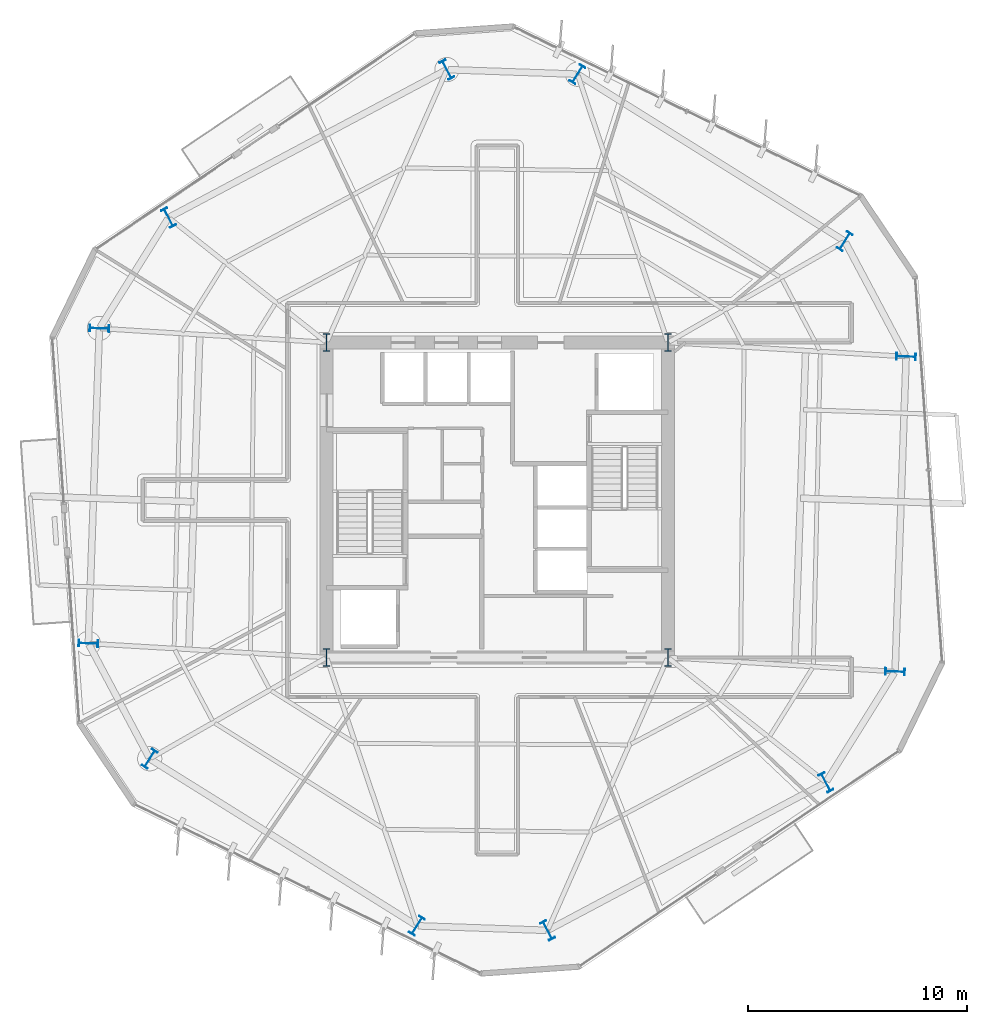
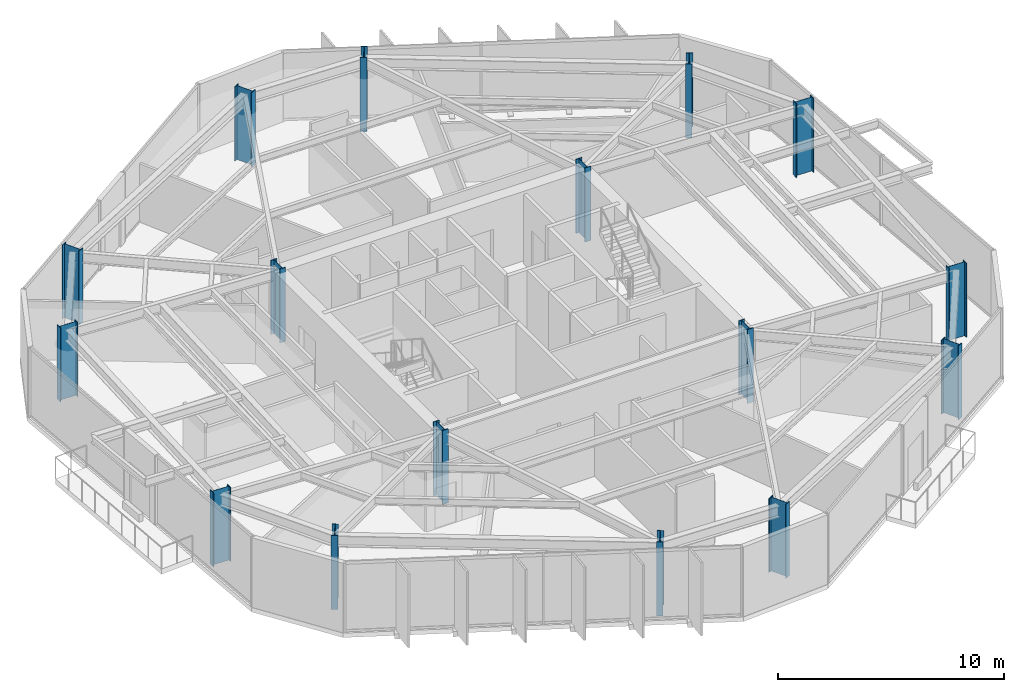
# One storey, part 1 of 14: 16 columns.
"""IFC4 building model written with IfcOpenShell, lengths in metres."""

import ifcopenshell
import ifcopenshell.guid

model = None  # the IFC model being written
_history = None  # IfcOwnerHistory: only IFC2X3 demands one
_inside = {}  # id of a spatial element -> (the spatial element, [elements in it])
_under = {}  # id of a project, library or spatial element -> (it, [spatial elements below it])
_declared = {}  # id of a project -> (the project, [libraries it declares])
_typed = {}  # id of a type object -> (the type object, [elements of that type])
_made_of = {}  # id of a material, layer set ... -> (it, [elements and type objects made of it])


def new_model(schema):
    """Start an empty IFC model of exactly this schema.

    Asked for "IFC4X3", IfcOpenShell would pick the latest addendum, in which some entities
    have other attributes; the version numbers below select the first issue.
    IFC2X3 requires an IfcOwnerHistory on every rooted entity: one is made here for all.
    """
    global model, _history
    if schema == "IFC4X3":
        model = ifcopenshell.file(schema_version=(4, 3, 0, 0))
    else:
        model = ifcopenshell.file(schema=schema)
    _inside.clear()
    _under.clear()
    _declared.clear()
    _typed.clear()
    _made_of.clear()
    _history = None
    if model.schema == "IFC2X3":
        org = make("IfcOrganization", Name="unknown")
        user = make(
            "IfcPersonAndOrganization",
            ThePerson=make("IfcPerson", FamilyName="unknown"),
            TheOrganization=org,
        )
        app = make(
            "IfcApplication",
            ApplicationDeveloper=org,
            Version="unknown",
            ApplicationFullName="unknown",
            ApplicationIdentifier="unknown",
        )
        _history = make(
            "IfcOwnerHistory",
            OwningUser=user,
            OwningApplication=app,
            ChangeAction="ADDED",
            CreationDate=0,
        )
    return model


def make(cls, **values):
    """One entity of the class cls with the attributes given. An attribute that is None is left unset."""
    return model.create_entity(
        cls, **{name: value for name, value in values.items() if value is not None}
    )


def rooted(cls, **values):
    """An entity with a GlobalId (a new one), such as an element, a storey or a relation."""
    return make(cls, GlobalId=ifcopenshell.guid.new(), OwnerHistory=_history, **values)


def si_unit(unit_type, name, prefix=None):
    """IfcSIUnit, for example si_unit("LENGTHUNIT", "METRE", prefix="MILLI")."""
    return make("IfcSIUnit", UnitType=unit_type, Prefix=prefix, Name=name)


def assignment(units):
    """IfcUnitAssignment: the units of a project."""
    return None if units is None else make("IfcUnitAssignment", Units=units)


def point(xyz):
    """IfcCartesianPoint."""
    return None if xyz is None else make("IfcCartesianPoint", Coordinates=xyz)


def direction(xyz):
    """IfcDirection."""
    return None if xyz is None else make("IfcDirection", DirectionRatios=xyz)


def frame(location, z_axis=None, x_axis=None):
    """IfcAxis2Placement3D, a coordinate frame: its origin and axes. An axis left out is left unset."""
    return make(
        "IfcAxis2Placement3D",
        Location=point(location),
        Axis=direction(z_axis),
        RefDirection=direction(x_axis),
    )


def frame_2d(location, x_axis=None):
    """IfcAxis2Placement2D, a coordinate frame in the plane: its origin and x axis."""
    return make(
        "IfcAxis2Placement2D", Location=point(location), RefDirection=direction(x_axis)
    )


def origin():
    """The frame at (0, 0, 0) with its axes left unset."""
    return frame((0.0, 0.0, 0.0))


def origin_2d():
    """The frame at (0, 0) in the plane with its x axis left unset."""
    return frame_2d((0.0, 0.0))


def place(relative_to, where):
    """IfcLocalPlacement: puts the frame where relative to a parent placement (None: the world)."""
    return make(
        "IfcLocalPlacement", PlacementRelTo=relative_to, RelativePlacement=where
    )


def context(
    kind, dimensions, precision=None, world=None, true_north=None, identifier=None
):
    """IfcGeometricRepresentationContext, for example the 3D "Model" context."""
    return make(
        "IfcGeometricRepresentationContext",
        ContextIdentifier=identifier,
        ContextType=kind,
        CoordinateSpaceDimension=dimensions,
        Precision=precision,
        WorldCoordinateSystem=world,
        TrueNorth=true_north,
    )


def subcontext(parent, identifier, kind, view, scale=None):
    """IfcGeometricRepresentationSubContext, for example "Body" below "Model"."""
    return make(
        "IfcGeometricRepresentationSubContext",
        ContextIdentifier=identifier,
        ContextType=kind,
        ParentContext=parent,
        TargetScale=scale,
        TargetView=view,
    )


def project(units=None, contexts=None):
    """IfcProject with its units and contexts."""
    return rooted(
        "IfcProject",
        Name="project",
        RepresentationContexts=contexts,
        UnitsInContext=assignment(units),
    )


def spatial(cls, under=None, at=None, **own):
    """A site, building, storey or space (cls), placed at a placement, below another one or the project."""
    s = rooted(cls, ObjectPlacement=at, **own)
    if under is not None:
        _under.setdefault(under.id(), (under, []))[1].append(s)
    return s


def profile(cls, at=None, kind="AREA", **sizes):
    """A parametric profile (cls). Its sizes go by their IFC names, for example OverallWidth=200.0."""
    return make(cls, ProfileType=kind, Position=at, **sizes)


def i_section(**sizes):
    """IfcIShapeProfileDef."""
    return profile("IfcIShapeProfileDef", **sizes)


def extrude(swept, where, along, depth):
    """IfcExtrudedAreaSolid: the profile swept, set in the frame where, extruded along a direction by depth."""
    return make(
        "IfcExtrudedAreaSolid",
        SweptArea=swept,
        Position=where,
        ExtrudedDirection=direction(along),
        Depth=depth,
    )


def shape(context_of_items, identifier, shape_type, items):
    """IfcShapeRepresentation: the items that make up one representation, for example the "Body"."""
    return make(
        "IfcShapeRepresentation",
        ContextOfItems=context_of_items,
        RepresentationIdentifier=identifier,
        RepresentationType=shape_type,
        Items=items,
    )


def material(Name=None, Category=None):
    """IfcMaterial."""
    return make("IfcMaterial", Name=Name, Category=Category)


def material_profile(
    of_material, cross_section, Name=None, Category=None, Priority=None
):
    """IfcMaterialProfile: a cross section and its material."""
    return make(
        "IfcMaterialProfile",
        Name=Name,
        Material=of_material,
        Profile=cross_section,
        Priority=Priority,
        Category=Category,
    )


def profile_set(profiles, Name=None, composite=None):
    """IfcMaterialProfileSet."""
    return make(
        "IfcMaterialProfileSet",
        Name=Name,
        MaterialProfiles=profiles,
        CompositeProfile=composite,
    )


def made_of(thing, what):
    """Note that an element or type object is made of a material, layer set ...; save() writes the relation."""
    if what is not None:
        _made_of.setdefault(what.id(), (what, []))[1].append(thing)
    return thing


def type_object(cls, material=None, **own):
    """A type object (cls), such as IfcWallType, which elements share."""
    return made_of(rooted(cls, **own), material)


def element(
    cls,
    number,
    at=None,
    inside=None,
    cuts=None,
    type_object=None,
    material=None,
    context=None,
    identifier="Body",
    shape_type=None,
    held_by="IfcProductDefinitionShape",
    body=None,
    shapes=None,
    **own,
):
    """One element of the class cls, such as IfcWall. Its Tag is "e" and its number.

    at: its placement. inside: the storey or other place that contains it. cuts: it is an
    opening in that element (IfcRelVoidsElement). A single representation is given by context,
    identifier, shape_type and body (its items); several are given by shapes. held_by: the class
    of the entity that holds the representations. save() writes the other relations.
    """
    e = rooted(cls, Tag="e%d" % number, ObjectPlacement=at, **own)
    if body is not None:
        shapes = [shape(context, identifier, shape_type, body)]
    if shapes is not None:
        e.Representation = make(held_by, Representations=shapes)
    if inside is not None:
        _inside.setdefault(inside.id(), (inside, []))[1].append(e)
    if cuts is not None:
        rooted(
            "IfcRelVoidsElement", RelatingBuildingElement=cuts, RelatedOpeningElement=e
        )
    if type_object is not None:
        _typed.setdefault(type_object.id(), (type_object, []))[1].append(e)
    return made_of(e, material)


def aggregate(whole, parts):
    """IfcRelAggregates: a whole, such as a stair, and the parts it consists of."""
    return rooted("IfcRelAggregates", RelatingObject=whole, RelatedObjects=parts)


def save(model, path):
    """Write the relations noted so far, then the file.

    IfcRelAggregates (storeys below a building ...), IfcRelContainedInSpatialStructure (elements
    in a storey), IfcRelDefinesByType, IfcRelAssociatesMaterial and IfcRelDeclares: one each for
    every whole, place, type object, material and project.
    """
    for whole, parts in _under.values():
        aggregate(whole, parts)
    for where, things in _inside.values():
        rooted(
            "IfcRelContainedInSpatialStructure",
            RelatedElements=things,
            RelatingStructure=where,
        )
    for kind, things in _typed.values():
        rooted("IfcRelDefinesByType", RelatedObjects=things, RelatingType=kind)
    for what, things in _made_of.values():
        rooted("IfcRelAssociatesMaterial", RelatedObjects=things, RelatingMaterial=what)
    for by, libraries in _declared.values():
        rooted("IfcRelDeclares", RelatingContext=by, RelatedDefinitions=libraries)
    model.write(path)


model = new_model("IFC4")

# Units and contexts
model_context = context("Model", 3, precision=1e-05, world=origin(), true_north=direction((0.0, 1.0)))
body_context = subcontext(model_context, "Body", "Model", "MODEL_VIEW")
ifc_project = project(units=[si_unit("LENGTHUNIT", "METRE"), si_unit("AREAUNIT", "SQUARE_METRE"), si_unit("VOLUMEUNIT", "CUBIC_METRE"), si_unit("PLANEANGLEUNIT", "RADIAN"), si_unit("MASSUNIT", "GRAM", prefix="KILO")], contexts=[model_context])

# Site, building, storey
site_placement = place(None, origin())
site = spatial("IfcSite", under=ifc_project, at=site_placement, CompositionType="ELEMENT")
building_placement = place(site_placement, origin())
building = spatial("IfcBuilding", under=site, at=building_placement, Name="Kranzbogen Civic Tower", CompositionType="ELEMENT")
storey_placement = place(building_placement, frame((0.0, 0.0, 158.39990234375)))
storey = spatial("IfcBuildingStorey", under=building, at=storey_placement, Name="L38", CompositionType="ELEMENT", Elevation=158.39990234375)

# Columns
ifc_material_1 = material(Name="Steel S355", Category="steel")
ifc_material_profile_1 = material_profile(ifc_material_1, i_section(OverallWidth=0.300048828125, OverallDepth=0.89990234375, WebThickness=0.0185546875, FlangeThickness=0.034912109375, at=origin_2d()), Name="HEB 900")
ifc_profile_set_1 = profile_set([ifc_material_profile_1], Name="Steel S355")
column_type_1 = type_object("IfcColumnType", Name="Structural Column HEB 900", PredefinedType="COLUMN", material=ifc_profile_set_1)
for number, where, z_axis, x_axis, name in (
    (1, (40.885986328125, 36.8291015625, 0.0), (0.0, 0.0, 1.0), (-0.848048096156, 0.529919264233, 0.0), "L38 tower perimeter tube column 01"),
    (2, (28.66796875, 44.464111328125, 0.0), (0.0, 0.0, 1.0), (-0.848048096156, 0.529919264233, 0.0), "L38 tower perimeter tube column 02"),
    (3, (22.698974609375, 44.672119140625, 0.0), (0.0, 0.0, 1.0), (0.882947592859, 0.469471562786, 0.0), "L38 tower perimeter tube column 03"),
    (4, (9.97705078125, 37.907958984375, 0.0), (0.0, 0.0, 1.0), (0.882947592859, 0.469471562786, 0.0), "L38 tower perimeter tube column 04"),
    (5, (6.81298828125, 32.843994140625, 0.0), (0.0, 0.0, 1.0), (0.034899496703, 0.999390827019, 0.0), "L38 tower perimeter tube column 05"),
    (6, (6.31005859375, 18.444091796875, 0.0), (0.0, 0.0, 1.0), (0.034899496703, 0.999390827019, 0.0), "L38 tower perimeter tube column 06"),
    (7, (9.114013671875, 13.1708984375, 0.0), (0.0, 0.0, 1.0), (-0.848048096156, 0.529919264233, 0.0), "L38 tower perimeter tube column 07"),
    (8, (21.33203125, 5.535888671875, 0.0), (0.0, 0.0, 1.0), (-0.848048096156, 0.529919264233, 0.0), "L38 tower perimeter tube column 08"),
    (9, (27.301025390625, 5.327880859375, 0.0), (0.0, 0.0, 1.0), (0.882947592859, 0.469471562786, 0.0), "L38 tower perimeter tube column 09"),
    (10, (40.02294921875, 12.092041015625, 0.0), (0.0, 0.0, 1.0), (0.882947592859, 0.469471562786, 0.0), "L38 tower perimeter tube column 10"),
    (11, (43.18701171875, 17.156005859375, 0.0), (0.0, 0.0, 1.0), (0.034899496703, 0.999390827019, 0.0), "L38 tower perimeter tube column 11"),
    (12, (43.68994140625, 31.555908203125, 0.0), (0.0, 0.0, 1.0), (0.034899496703, 0.999390827019, 0.0), "L38 tower perimeter tube column 12"),
):
    element("IfcColumn", number, at=place(storey_placement, frame(where, z_axis=z_axis, x_axis=x_axis)), inside=storey, type_object=column_type_1, Name=name, PredefinedType="COLUMN", context=body_context, shape_type="SweptSolid", body=[
        extrude(i_section(OverallWidth=0.300048828125, OverallDepth=0.89990234375, WebThickness=0.0185546875, FlangeThickness=0.034912109375, at=origin_2d()), origin(), (0.0, 0.0, 1.0), 4.0),
    ])
ifc_material_2 = material(Name="Steel S460", Category="steel")
ifc_material_profile_2 = material_profile(ifc_material_2, i_section(OverallWidth=0.302978515625, OverallDepth=0.81396484375, WebThickness=0.02099609375, FlangeThickness=0.0400390625, at=origin_2d()), Name="HEM 800")
ifc_profile_set_2 = profile_set([ifc_material_profile_2], Name="Steel S460")
column_type_2 = type_object("IfcColumnType", Name="Structural Column HEM 800", PredefinedType="COLUMN", material=ifc_profile_set_2)
for number, where, z_axis, x_axis, name in (
    (13, (17.199951171875, 17.800048828125, 0.0), (0.0, 0.0, 1.0), (1.0, 0.0, 0.0), "L38 composite core corner column 1"),
    (14, (32.800048828125, 17.800048828125, 0.0), (0.0, 0.0, 1.0), (1.0, 0.0, 0.0), "L38 composite core corner column 2"),
    (15, (32.800048828125, 32.199951171875, 0.0), (0.0, 0.0, 1.0), (1.0, 0.0, 0.0), "L38 composite core corner column 3"),
    (16, (17.199951171875, 32.199951171875, 0.0), (0.0, 0.0, 1.0), (1.0, 0.0, 0.0), "L38 composite core corner column 4"),
):
    element("IfcColumn", number, at=place(storey_placement, frame(where, z_axis=z_axis, x_axis=x_axis)), inside=storey, type_object=column_type_2, Name=name, PredefinedType="COLUMN", context=body_context, shape_type="SweptSolid", body=[
        extrude(i_section(OverallWidth=0.302978515625, OverallDepth=0.81396484375, WebThickness=0.02099609375, FlangeThickness=0.0400390625, at=origin_2d()), origin(), (0.0, 0.0, 1.0), 4.0),
    ])

save(model, "model.ifc")
